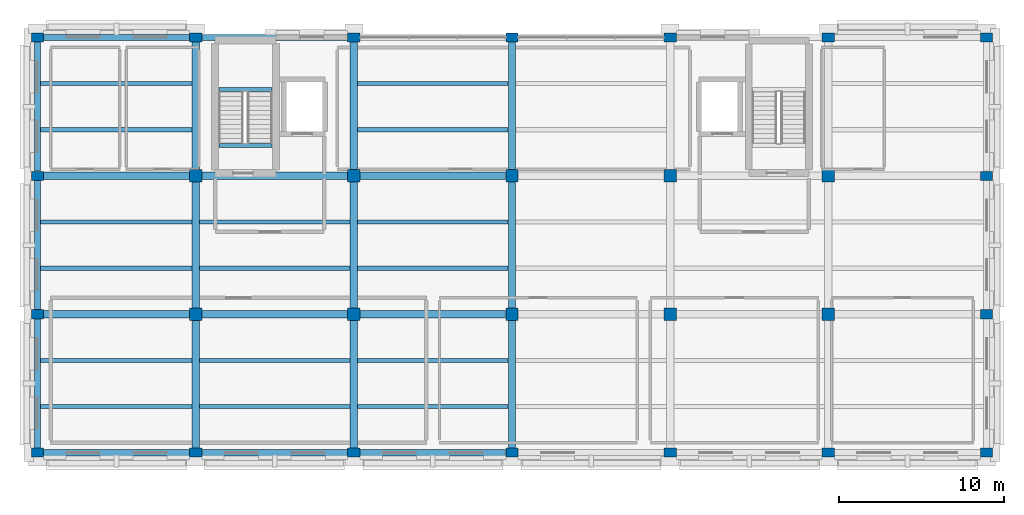
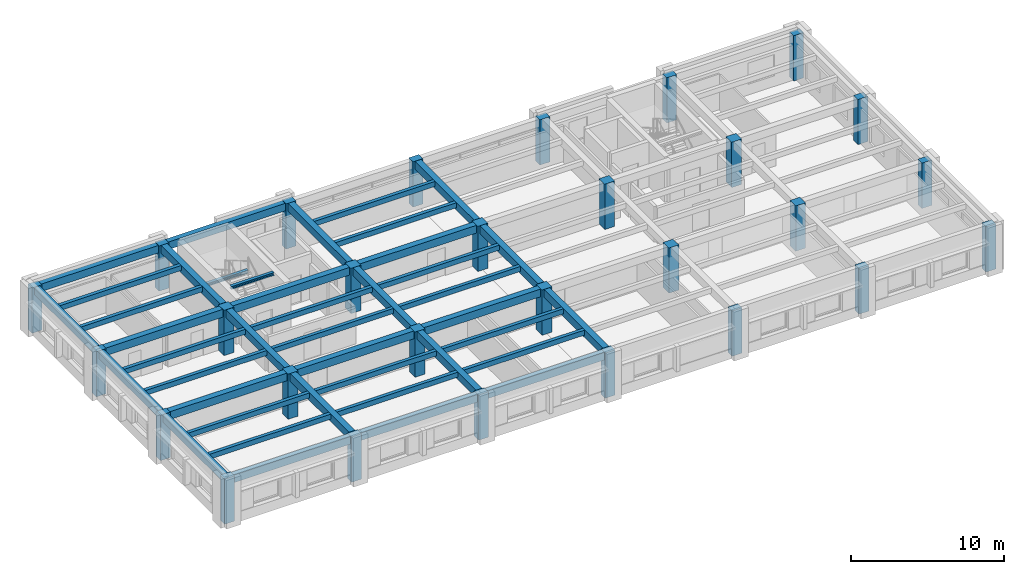
# One storey, part 1 of 11: 41 beams, 28 columns.
"""IFC4 building model written with IfcOpenShell, lengths in metres."""

import ifcopenshell
import ifcopenshell.guid

model = None  # the IFC model being written
_history = None  # IfcOwnerHistory: only IFC2X3 demands one
_inside = {}  # id of a spatial element -> (the spatial element, [elements in it])
_under = {}  # id of a project, library or spatial element -> (it, [spatial elements below it])
_declared = {}  # id of a project -> (the project, [libraries it declares])
_typed = {}  # id of a type object -> (the type object, [elements of that type])
_made_of = {}  # id of a material, layer set ... -> (it, [elements and type objects made of it])


def new_model(schema):
    """Start an empty IFC model of exactly this schema.

    Asked for "IFC4X3", IfcOpenShell would pick the latest addendum, in which some entities
    have other attributes; the version numbers below select the first issue.
    IFC2X3 requires an IfcOwnerHistory on every rooted entity: one is made here for all.
    """
    global model, _history
    if schema == "IFC4X3":
        model = ifcopenshell.file(schema_version=(4, 3, 0, 0))
    else:
        model = ifcopenshell.file(schema=schema)
    _inside.clear()
    _under.clear()
    _declared.clear()
    _typed.clear()
    _made_of.clear()
    _history = None
    if model.schema == "IFC2X3":
        org = make("IfcOrganization", Name="unknown")
        user = make(
            "IfcPersonAndOrganization",
            ThePerson=make("IfcPerson", FamilyName="unknown"),
            TheOrganization=org,
        )
        app = make(
            "IfcApplication",
            ApplicationDeveloper=org,
            Version="unknown",
            ApplicationFullName="unknown",
            ApplicationIdentifier="unknown",
        )
        _history = make(
            "IfcOwnerHistory",
            OwningUser=user,
            OwningApplication=app,
            ChangeAction="ADDED",
            CreationDate=0,
        )
    return model


def make(cls, **values):
    """One entity of the class cls with the attributes given. An attribute that is None is left unset."""
    return model.create_entity(
        cls, **{name: value for name, value in values.items() if value is not None}
    )


def rooted(cls, **values):
    """An entity with a GlobalId (a new one), such as an element, a storey or a relation."""
    return make(cls, GlobalId=ifcopenshell.guid.new(), OwnerHistory=_history, **values)


def si_unit(unit_type, name, prefix=None):
    """IfcSIUnit, for example si_unit("LENGTHUNIT", "METRE", prefix="MILLI")."""
    return make("IfcSIUnit", UnitType=unit_type, Prefix=prefix, Name=name)


def assignment(units):
    """IfcUnitAssignment: the units of a project."""
    return None if units is None else make("IfcUnitAssignment", Units=units)


def point(xyz):
    """IfcCartesianPoint."""
    return None if xyz is None else make("IfcCartesianPoint", Coordinates=xyz)


def direction(xyz):
    """IfcDirection."""
    return None if xyz is None else make("IfcDirection", DirectionRatios=xyz)


def frame(location, z_axis=None, x_axis=None):
    """IfcAxis2Placement3D, a coordinate frame: its origin and axes. An axis left out is left unset."""
    return make(
        "IfcAxis2Placement3D",
        Location=point(location),
        Axis=direction(z_axis),
        RefDirection=direction(x_axis),
    )


def frame_2d(location, x_axis=None):
    """IfcAxis2Placement2D, a coordinate frame in the plane: its origin and x axis."""
    return make(
        "IfcAxis2Placement2D", Location=point(location), RefDirection=direction(x_axis)
    )


def origin():
    """The frame at (0, 0, 0) with its axes left unset."""
    return frame((0.0, 0.0, 0.0))


def origin_2d():
    """The frame at (0, 0) in the plane with its x axis left unset."""
    return frame_2d((0.0, 0.0))


def place(relative_to, where):
    """IfcLocalPlacement: puts the frame where relative to a parent placement (None: the world)."""
    return make(
        "IfcLocalPlacement", PlacementRelTo=relative_to, RelativePlacement=where
    )


def context(
    kind, dimensions, precision=None, world=None, true_north=None, identifier=None
):
    """IfcGeometricRepresentationContext, for example the 3D "Model" context."""
    return make(
        "IfcGeometricRepresentationContext",
        ContextIdentifier=identifier,
        ContextType=kind,
        CoordinateSpaceDimension=dimensions,
        Precision=precision,
        WorldCoordinateSystem=world,
        TrueNorth=true_north,
    )


def subcontext(parent, identifier, kind, view, scale=None):
    """IfcGeometricRepresentationSubContext, for example "Body" below "Model"."""
    return make(
        "IfcGeometricRepresentationSubContext",
        ContextIdentifier=identifier,
        ContextType=kind,
        ParentContext=parent,
        TargetScale=scale,
        TargetView=view,
    )


def project(units=None, contexts=None):
    """IfcProject with its units and contexts."""
    return rooted(
        "IfcProject",
        Name="project",
        RepresentationContexts=contexts,
        UnitsInContext=assignment(units),
    )


def spatial(cls, under=None, at=None, **own):
    """A site, building, storey or space (cls), placed at a placement, below another one or the project."""
    s = rooted(cls, ObjectPlacement=at, **own)
    if under is not None:
        _under.setdefault(under.id(), (under, []))[1].append(s)
    return s


def profile(cls, at=None, kind="AREA", **sizes):
    """A parametric profile (cls). Its sizes go by their IFC names, for example OverallWidth=200.0."""
    return make(cls, ProfileType=kind, Position=at, **sizes)


def rectangle(**sizes):
    """IfcRectangleProfileDef."""
    return profile("IfcRectangleProfileDef", **sizes)


def i_section(**sizes):
    """IfcIShapeProfileDef."""
    return profile("IfcIShapeProfileDef", **sizes)


def extrude(swept, where, along, depth):
    """IfcExtrudedAreaSolid: the profile swept, set in the frame where, extruded along a direction by depth."""
    return make(
        "IfcExtrudedAreaSolid",
        SweptArea=swept,
        Position=where,
        ExtrudedDirection=direction(along),
        Depth=depth,
    )


def shape(context_of_items, identifier, shape_type, items):
    """IfcShapeRepresentation: the items that make up one representation, for example the "Body"."""
    return make(
        "IfcShapeRepresentation",
        ContextOfItems=context_of_items,
        RepresentationIdentifier=identifier,
        RepresentationType=shape_type,
        Items=items,
    )


def material(Name=None, Category=None):
    """IfcMaterial."""
    return make("IfcMaterial", Name=Name, Category=Category)


def material_profile(
    of_material, cross_section, Name=None, Category=None, Priority=None
):
    """IfcMaterialProfile: a cross section and its material."""
    return make(
        "IfcMaterialProfile",
        Name=Name,
        Material=of_material,
        Profile=cross_section,
        Priority=Priority,
        Category=Category,
    )


def profile_set(profiles, Name=None, composite=None):
    """IfcMaterialProfileSet."""
    return make(
        "IfcMaterialProfileSet",
        Name=Name,
        MaterialProfiles=profiles,
        CompositeProfile=composite,
    )


def made_of(thing, what):
    """Note that an element or type object is made of a material, layer set ...; save() writes the relation."""
    if what is not None:
        _made_of.setdefault(what.id(), (what, []))[1].append(thing)
    return thing


def type_object(cls, material=None, **own):
    """A type object (cls), such as IfcWallType, which elements share."""
    return made_of(rooted(cls, **own), material)


def element(
    cls,
    number,
    at=None,
    inside=None,
    cuts=None,
    type_object=None,
    material=None,
    context=None,
    identifier="Body",
    shape_type=None,
    held_by="IfcProductDefinitionShape",
    body=None,
    shapes=None,
    **own,
):
    """One element of the class cls, such as IfcWall. Its Tag is "e" and its number.

    at: its placement. inside: the storey or other place that contains it. cuts: it is an
    opening in that element (IfcRelVoidsElement). A single representation is given by context,
    identifier, shape_type and body (its items); several are given by shapes. held_by: the class
    of the entity that holds the representations. save() writes the other relations.
    """
    e = rooted(cls, Tag="e%d" % number, ObjectPlacement=at, **own)
    if body is not None:
        shapes = [shape(context, identifier, shape_type, body)]
    if shapes is not None:
        e.Representation = make(held_by, Representations=shapes)
    if inside is not None:
        _inside.setdefault(inside.id(), (inside, []))[1].append(e)
    if cuts is not None:
        rooted(
            "IfcRelVoidsElement", RelatingBuildingElement=cuts, RelatedOpeningElement=e
        )
    if type_object is not None:
        _typed.setdefault(type_object.id(), (type_object, []))[1].append(e)
    return made_of(e, material)


def aggregate(whole, parts):
    """IfcRelAggregates: a whole, such as a stair, and the parts it consists of."""
    return rooted("IfcRelAggregates", RelatingObject=whole, RelatedObjects=parts)


def save(model, path):
    """Write the relations noted so far, then the file.

    IfcRelAggregates (storeys below a building ...), IfcRelContainedInSpatialStructure (elements
    in a storey), IfcRelDefinesByType, IfcRelAssociatesMaterial and IfcRelDeclares: one each for
    every whole, place, type object, material and project.
    """
    for whole, parts in _under.values():
        aggregate(whole, parts)
    for where, things in _inside.values():
        rooted(
            "IfcRelContainedInSpatialStructure",
            RelatedElements=things,
            RelatingStructure=where,
        )
    for kind, things in _typed.values():
        rooted("IfcRelDefinesByType", RelatedObjects=things, RelatingType=kind)
    for what, things in _made_of.values():
        rooted("IfcRelAssociatesMaterial", RelatedObjects=things, RelatingMaterial=what)
    for by, libraries in _declared.values():
        rooted("IfcRelDeclares", RelatingContext=by, RelatedDefinitions=libraries)
    model.write(path)


model = new_model("IFC4")

# Units and contexts
model_context = context("Model", 3, precision=1e-05, world=origin(), true_north=direction((0.0, 1.0)))
body_context = subcontext(model_context, "Body", "Model", "MODEL_VIEW")
ifc_project = project(units=[si_unit("LENGTHUNIT", "METRE"), si_unit("AREAUNIT", "SQUARE_METRE"), si_unit("VOLUMEUNIT", "CUBIC_METRE"), si_unit("PLANEANGLEUNIT", "RADIAN"), si_unit("MASSUNIT", "GRAM", prefix="KILO")], contexts=[model_context])

# Site, building, storey
site_placement = place(None, origin())
site = spatial("IfcSite", under=ifc_project, at=site_placement, CompositionType="ELEMENT")
building_placement = place(site_placement, origin())
building = spatial("IfcBuilding", under=site, at=building_placement, Name="Bempovik Park Faculty of Sciences", CompositionType="ELEMENT")
storey_placement = place(building_placement, frame((0.0, 0.0, 30.60009765625)))
storey = spatial("IfcBuildingStorey", under=building, at=storey_placement, Name="L07", CompositionType="ELEMENT", Elevation=30.60009765625)

# Columns
ifc_material_1 = material(Name="Concrete C40/50", Category="concrete")
ifc_material_profile_1 = material_profile(ifc_material_1, rectangle(XDim=0.75, YDim=0.75, at=origin_2d()), Name="RC 750x750")
ifc_profile_set_1 = profile_set([ifc_material_profile_1], Name="Concrete C40/50")
column_type_1 = type_object("IfcColumnType", Name="C-39 RC 750x750", PredefinedType="COLUMN", material=ifc_profile_set_1)
for number, where, z_axis, x_axis, name in (
    (1, (69.60009765625, 102.60009765625, 0.0), (0.0, 0.0, 1.0), (1.0, 0.0, 0.0), "L07 Structural Column (69.6,102.6)"),
    (2, (69.60009765625, 111.0, 0.0), (0.0, 0.0, 1.0), (1.0, 0.0, 0.0), "L07 Structural Column (69.6,111.0)"),
    (3, (79.199951171875, 102.60009765625, 0.0), (0.0, 0.0, 1.0), (1.0, 0.0, 0.0), "L07 Structural Column (79.2,102.6)"),
    (4, (79.199951171875, 111.0, 0.0), (0.0, 0.0, 1.0), (1.0, 0.0, 0.0), "L07 Structural Column (79.2,111.0)"),
    (5, (88.800048828125, 102.60009765625, 0.0), (0.0, 0.0, 1.0), (1.0, 0.0, 0.0), "L07 Structural Column (88.8,102.6)"),
    (6, (88.800048828125, 111.0, 0.0), (0.0, 0.0, 1.0), (1.0, 0.0, 0.0), "L07 Structural Column (88.8,111.0)"),
    (7, (98.39990234375, 102.60009765625, 0.0), (0.0, 0.0, 1.0), (1.0, 0.0, 0.0), "L07 Structural Column (98.4,102.6)"),
    (8, (98.39990234375, 111.0, 0.0), (0.0, 0.0, 1.0), (1.0, 0.0, 0.0), "L07 Structural Column (98.4,111.0)"),
    (9, (108.0, 102.60009765625, 0.0), (0.0, 0.0, 1.0), (1.0, 0.0, 0.0), "L07 Structural Column (108.0,102.6)"),
    (10, (108.0, 111.0, 0.0), (0.0, 0.0, 1.0), (1.0, 0.0, 0.0), "L07 Structural Column (108.0,111.0)"),
):
    element("IfcColumn", number, at=place(storey_placement, frame(where, z_axis=z_axis, x_axis=x_axis)), inside=storey, type_object=column_type_1, Name=name, PredefinedType="COLUMN", context=body_context, shape_type="SweptSolid", body=[
        extrude(rectangle(XDim=0.75, YDim=0.75, at=origin_2d()), origin(), (0.0, 0.0, 1.0), 3.619873046875),
    ])
ifc_material_profile_2 = material_profile(ifc_material_1, rectangle(XDim=0.75, YDim=0.550048828125, at=origin_2d()), Name="RC 750x550")
ifc_profile_set_2 = profile_set([ifc_material_profile_2], Name="Concrete C40/50")
column_type_2 = type_object("IfcColumnType", Name="C-43 RC 750x550", PredefinedType="COLUMN", material=ifc_profile_set_2)
for number, where, z_axis, x_axis, name in (
    (11, (60.0, 94.199951171875, 0.0), (0.0, 0.0, 1.0), (1.0, 0.0, 0.0), "L07 Structural Column (60.0,94.2)"),
    (12, (60.0, 102.60009765625, 0.0), (0.0, 0.0, 1.0), (1.0, 0.0, 0.0), "L07 Structural Column (60.0,102.6)"),
    (13, (60.0, 111.0, 0.0), (0.0, 0.0, 1.0), (1.0, 0.0, 0.0), "L07 Structural Column (60.0,111.0)"),
    (14, (60.0, 119.39990234375, 0.0), (0.0, 0.0, 1.0), (1.0, 0.0, 0.0), "L07 Structural Column (60.0,119.4)"),
    (15, (69.60009765625, 94.199951171875, 0.0), (0.0, 0.0, 1.0), (1.0, 0.0, 0.0), "L07 Structural Column (69.6,94.2)"),
    (16, (69.60009765625, 119.39990234375, 0.0), (0.0, 0.0, 1.0), (1.0, 0.0, 0.0), "L07 Structural Column (69.6,119.4)"),
    (17, (79.199951171875, 94.199951171875, 0.0), (0.0, 0.0, 1.0), (1.0, 0.0, 0.0), "L07 Structural Column (79.2,94.2)"),
    (18, (79.199951171875, 119.39990234375, 0.0), (0.0, 0.0, 1.0), (1.0, 0.0, 0.0), "L07 Structural Column (79.2,119.4)"),
    (19, (88.800048828125, 94.199951171875, 0.0), (0.0, 0.0, 1.0), (1.0, 0.0, 0.0), "L07 Structural Column (88.8,94.2)"),
    (20, (88.800048828125, 119.39990234375, 0.0), (0.0, 0.0, 1.0), (1.0, 0.0, 0.0), "L07 Structural Column (88.8,119.4)"),
    (21, (98.39990234375, 94.199951171875, 0.0), (0.0, 0.0, 1.0), (1.0, 0.0, 0.0), "L07 Structural Column (98.4,94.2)"),
    (22, (98.39990234375, 119.39990234375, 0.0), (0.0, 0.0, 1.0), (1.0, 0.0, 0.0), "L07 Structural Column (98.4,119.4)"),
    (23, (108.0, 94.199951171875, 0.0), (0.0, 0.0, 1.0), (1.0, 0.0, 0.0), "L07 Structural Column (108.0,94.2)"),
    (24, (108.0, 119.39990234375, 0.0), (0.0, 0.0, 1.0), (1.0, 0.0, 0.0), "L07 Structural Column (108.0,119.4)"),
    (25, (117.60009765625, 94.199951171875, 0.0), (0.0, 0.0, 1.0), (1.0, 0.0, 0.0), "L07 Structural Column (117.6,94.2)"),
    (26, (117.60009765625, 102.60009765625, 0.0), (0.0, 0.0, 1.0), (1.0, 0.0, 0.0), "L07 Structural Column (117.6,102.6)"),
    (27, (117.60009765625, 111.0, 0.0), (0.0, 0.0, 1.0), (1.0, 0.0, 0.0), "L07 Structural Column (117.6,111.0)"),
    (28, (117.60009765625, 119.39990234375, 0.0), (0.0, 0.0, 1.0), (1.0, 0.0, 0.0), "L07 Structural Column (117.6,119.4)"),
):
    element("IfcColumn", number, at=place(storey_placement, frame(where, z_axis=z_axis, x_axis=x_axis)), inside=storey, type_object=column_type_2, Name=name, PredefinedType="COLUMN", context=body_context, shape_type="SweptSolid", body=[
        extrude(rectangle(XDim=0.75, YDim=0.550048828125, at=origin_2d()), origin(), (0.0, 0.0, 1.0), 3.619873046875),
    ])

# Beams
ifc_material_2 = material(Name="Concrete C35/45", Category="concrete")
ifc_material_profile_3 = material_profile(ifc_material_2, rectangle(XDim=0.3798828125, YDim=0.60009765625, at=origin_2d()), Name="RC 380x600")
ifc_profile_set_3 = profile_set([ifc_material_profile_3], Name="Concrete C35/45")
beam_type_1 = type_object("IfcBeamType", Name="B-032 RC 380x600", PredefinedType="SPANDREL", material=ifc_profile_set_3)
beam_1_placement = place(storey_placement, frame((60.381103515625, 94.199951171875, 3.31982421875), z_axis=(1.0, 0.0, 0.0), x_axis=(0.0, 1.0, 0.0)))
element("IfcBeam", 29, at=beam_1_placement, inside=storey, type_object=beam_type_1, Name="L07 Beam X (60.0-69.6, y=94.2)", PredefinedType="SPANDREL", context=body_context, shape_type="SweptSolid", body=[
    extrude(rectangle(XDim=0.3798828125, YDim=0.60009765625, at=origin_2d()), origin(), (0.0, 0.0, 1.0), 8.837890625),
])
beam_2_placement = place(storey_placement, frame((69.98095703125, 94.199951171875, 3.31982421875), z_axis=(1.0, 0.0, 0.0), x_axis=(0.0, 1.0, 0.0)))
element("IfcBeam", 30, at=beam_2_placement, inside=storey, type_object=beam_type_1, Name="L07 Beam X (69.6-79.2, y=94.2)", PredefinedType="SPANDREL", context=body_context, shape_type="SweptSolid", body=[
    extrude(rectangle(XDim=0.3798828125, YDim=0.60009765625, at=origin_2d()), origin(), (0.0, 0.0, 1.0), 8.838134765625),
])
for number, where, z_axis, x_axis, name in (
    (31, (79.5810546875, 94.199951171875, 3.31982421875), (1.0, 0.0, 0.0), (0.0, 1.0, 0.0), "L07 Beam X (79.2-88.8, y=94.2)"),
    (32, (60.381103515625, 119.39990234375, 3.31982421875), (1.0, 0.0, 0.0), (0.0, 1.0, 0.0), "L07 Beam X (60.0-69.6, y=119.4)"),
):
    element("IfcBeam", number, at=place(storey_placement, frame(where, z_axis=z_axis, x_axis=x_axis)), inside=storey, type_object=beam_type_1, Name=name, PredefinedType="SPANDREL", context=body_context, shape_type="SweptSolid", body=[
        extrude(rectangle(XDim=0.3798828125, YDim=0.60009765625, at=origin_2d()), origin(), (0.0, 0.0, 1.0), 8.837890625),
    ])
beam_3_placement = place(storey_placement, frame((69.98095703125, 119.39990234375, 3.31982421875), z_axis=(1.0, 0.0, 0.0), x_axis=(0.0, 1.0, 0.0)))
element("IfcBeam", 33, at=beam_3_placement, inside=storey, type_object=beam_type_1, Name="L07 Beam X (69.6-79.2, y=119.4)", PredefinedType="SPANDREL", context=body_context, shape_type="SweptSolid", body=[
    extrude(rectangle(XDim=0.3798828125, YDim=0.60009765625, at=origin_2d()), origin(), (0.0, 0.0, 1.0), 8.838134765625),
])
beam_4_placement = place(storey_placement, frame((60.0, 94.48095703125, 3.31982421875), z_axis=(0.0, 1.0, 0.0), x_axis=(-1.0, 0.0, 0.0)))
element("IfcBeam", 34, at=beam_4_placement, inside=storey, type_object=beam_type_1, Name="L07 Beam Y (x=60.0, 94.2-102.6)", PredefinedType="SPANDREL", context=body_context, shape_type="SweptSolid", body=[
    extrude(rectangle(XDim=0.3798828125, YDim=0.60009765625, at=origin_2d()), origin(), (0.0, 0.0, 1.0), 7.838134765625),
])
for number, where, z_axis, x_axis, name in (
    (35, (60.0, 102.881103515625, 3.31982421875), (0.0, 1.0, 0.0), (-1.0, 0.0, 0.0), "L07 Beam Y (x=60.0, 102.6-111.0)"),
    (36, (60.0, 111.281005859375, 3.31982421875), (0.0, 1.0, 0.0), (-1.0, 0.0, 0.0), "L07 Beam Y (x=60.0, 111.0-119.4)"),
):
    element("IfcBeam", number, at=place(storey_placement, frame(where, z_axis=z_axis, x_axis=x_axis)), inside=storey, type_object=beam_type_1, Name=name, PredefinedType="SPANDREL", context=body_context, shape_type="SweptSolid", body=[
        extrude(rectangle(XDim=0.3798828125, YDim=0.60009765625, at=origin_2d()), origin(), (0.0, 0.0, 1.0), 7.837890625),
    ])
ifc_material_profile_4 = material_profile(ifc_material_2, rectangle(XDim=0.260009765625, YDim=0.39990234375, at=origin_2d()), Name="RC 260x400")
ifc_profile_set_4 = profile_set([ifc_material_profile_4], Name="Concrete C35/45")
beam_type_2 = type_object("IfcBeamType", Name="B-063 RC 260x400", PredefinedType="JOIST", material=ifc_profile_set_4)
for number, where, z_axis, x_axis, name in (
    (37, (60.196044921875, 97.0, 3.419921875), (1.0, 0.0, 0.0), (0.0, 1.0, 0.0), "L07 Secondary Joist (60.0-69.6, y=97.00)"),
    (38, (60.196044921875, 99.800048828125, 3.419921875), (1.0, 0.0, 0.0), (0.0, 1.0, 0.0), "L07 Secondary Joist (60.0-69.6, y=99.80)"),
    (39, (60.196044921875, 105.39990234375, 3.419921875), (1.0, 0.0, 0.0), (0.0, 1.0, 0.0), "L07 Secondary Joist (60.0-69.6, y=105.40)"),
    (40, (60.196044921875, 108.199951171875, 3.419921875), (1.0, 0.0, 0.0), (0.0, 1.0, 0.0), "L07 Secondary Joist (60.0-69.6, y=108.20)"),
    (41, (60.196044921875, 113.800048828125, 3.419921875), (1.0, 0.0, 0.0), (0.0, 1.0, 0.0), "L07 Secondary Joist (60.0-69.6, y=113.80)"),
    (42, (60.196044921875, 116.60009765625, 3.419921875), (1.0, 0.0, 0.0), (0.0, 1.0, 0.0), "L07 Secondary Joist (60.0-69.6, y=116.60)"),
):
    element("IfcBeam", number, at=place(storey_placement, frame(where, z_axis=z_axis, x_axis=x_axis)), inside=storey, type_object=beam_type_2, Name=name, PredefinedType="JOIST", context=body_context, shape_type="SweptSolid", body=[
        extrude(rectangle(XDim=0.260009765625, YDim=0.39990234375, at=origin_2d()), origin(), (0.0, 0.0, 1.0), 9.1728515625),
    ])
for number, where, z_axis, x_axis, name in (
    (43, (69.8310546875, 97.0, 3.419921875), (1.0, 0.0, 0.0), (0.0, 1.0, 0.0), "L07 Secondary Joist (69.6-79.2, y=97.00)"),
    (44, (69.8310546875, 99.800048828125, 3.419921875), (1.0, 0.0, 0.0), (0.0, 1.0, 0.0), "L07 Secondary Joist (69.6-79.2, y=99.80)"),
    (45, (69.8310546875, 105.39990234375, 3.419921875), (1.0, 0.0, 0.0), (0.0, 1.0, 0.0), "L07 Secondary Joist (69.6-79.2, y=105.40)"),
    (46, (69.8310546875, 108.199951171875, 3.419921875), (1.0, 0.0, 0.0), (0.0, 1.0, 0.0), "L07 Secondary Joist (69.6-79.2, y=108.20)"),
):
    element("IfcBeam", number, at=place(storey_placement, frame(where, z_axis=z_axis, x_axis=x_axis)), inside=storey, type_object=beam_type_2, Name=name, PredefinedType="JOIST", context=body_context, shape_type="SweptSolid", body=[
        extrude(rectangle(XDim=0.260009765625, YDim=0.39990234375, at=origin_2d()), origin(), (0.0, 0.0, 1.0), 9.137939453125),
    ])
for number, where, z_axis, x_axis, name in (
    (47, (79.430908203125, 97.0, 3.419921875), (1.0, 0.0, 0.0), (0.0, 1.0, 0.0), "L07 Secondary Joist (79.2-88.8, y=97.00)"),
    (48, (79.430908203125, 99.800048828125, 3.419921875), (1.0, 0.0, 0.0), (0.0, 1.0, 0.0), "L07 Secondary Joist (79.2-88.8, y=99.80)"),
    (49, (79.430908203125, 105.39990234375, 3.419921875), (1.0, 0.0, 0.0), (0.0, 1.0, 0.0), "L07 Secondary Joist (79.2-88.8, y=105.40)"),
    (50, (79.430908203125, 108.199951171875, 3.419921875), (1.0, 0.0, 0.0), (0.0, 1.0, 0.0), "L07 Secondary Joist (79.2-88.8, y=108.20)"),
    (51, (79.430908203125, 113.800048828125, 3.419921875), (1.0, 0.0, 0.0), (0.0, 1.0, 0.0), "L07 Secondary Joist (79.2-88.8, y=113.80)"),
    (52, (79.430908203125, 116.60009765625, 3.419921875), (1.0, 0.0, 0.0), (0.0, 1.0, 0.0), "L07 Secondary Joist (79.2-88.8, y=116.60)"),
):
    element("IfcBeam", number, at=place(storey_placement, frame(where, z_axis=z_axis, x_axis=x_axis)), inside=storey, type_object=beam_type_2, Name=name, PredefinedType="JOIST", context=body_context, shape_type="SweptSolid", body=[
        extrude(rectangle(XDim=0.260009765625, YDim=0.39990234375, at=origin_2d()), origin(), (0.0, 0.0, 1.0), 9.13818359375),
    ])
ifc_material_3 = material(Name="Steel S355", Category="steel")
ifc_material_profile_5 = material_profile(ifc_material_3, i_section(OverallWidth=0.239990234375, OverallDepth=0.22998046875, WebThickness=0.007568359375, FlangeThickness=0.011962890625, at=origin_2d()), Name="HEA 240")
ifc_profile_set_5 = profile_set([ifc_material_profile_5], Name="Steel S355")
beam_type_3 = type_object("IfcBeamType", Name="B-070 HEA 240", PredefinedType="BEAM", material=ifc_profile_set_5)
for number, where, z_axis, x_axis, name in (
    (53, (71.006103515625, 116.24365234375, 1.635009765625), (1.0, 0.0, 0.0), (0.0, 1.0, 0.0), "L07 ST-1 Half-Landing Trimmer Beam"),
    (54, (71.006103515625, 112.85009765625, 3.5048828125), (1.0, 0.0, 0.0), (0.0, 1.0, 0.0), "L08 ST-1 Floor Landing Trimmer Beam"),
):
    element("IfcBeam", number, at=place(storey_placement, frame(where, z_axis=z_axis, x_axis=x_axis)), inside=storey, type_object=beam_type_3, Name=name, PredefinedType="BEAM", context=body_context, shape_type="SweptSolid", body=[
        extrude(i_section(OverallWidth=0.239990234375, OverallDepth=0.22998046875, WebThickness=0.007568359375, FlangeThickness=0.011962890625, at=origin_2d()), origin(), (0.0, 0.0, 1.0), 3.23779296875),
    ])
ifc_material_profile_6 = material_profile(ifc_material_2, rectangle(XDim=0.449951171875, YDim=0.6201171875, at=origin_2d()), Name="RC 450x620")
ifc_profile_set_6 = profile_set([ifc_material_profile_6], Name="Concrete C35/45")
beam_type_4 = type_object("IfcBeamType", Name="B-114 RC 450x620", PredefinedType="BEAM", material=ifc_profile_set_6)
beam_5_placement = place(storey_placement, frame((60.381103515625, 102.60009765625, 3.309814453125), z_axis=(1.0, 0.0, 0.0), x_axis=(0.0, 1.0, 0.0)))
element("IfcBeam", 55, at=beam_5_placement, inside=storey, type_object=beam_type_4, Name="L07 Beam X (60.0-69.6, y=102.6)", PredefinedType="BEAM", context=body_context, shape_type="SweptSolid", body=[
    extrude(rectangle(XDim=0.449951171875, YDim=0.6201171875, at=origin_2d()), origin(), (0.0, 0.0, 1.0), 8.837890625),
])
beam_6_placement = place(storey_placement, frame((69.98095703125, 102.60009765625, 3.309814453125), z_axis=(1.0, 0.0, 0.0), x_axis=(0.0, 1.0, 0.0)))
element("IfcBeam", 56, at=beam_6_placement, inside=storey, type_object=beam_type_4, Name="L07 Beam X (69.6-79.2, y=102.6)", PredefinedType="BEAM", context=body_context, shape_type="SweptSolid", body=[
    extrude(rectangle(XDim=0.449951171875, YDim=0.6201171875, at=origin_2d()), origin(), (0.0, 0.0, 1.0), 8.838134765625),
])
for number, where, z_axis, x_axis, name in (
    (57, (79.5810546875, 102.60009765625, 3.309814453125), (1.0, 0.0, 0.0), (0.0, 1.0, 0.0), "L07 Beam X (79.2-88.8, y=102.6)"),
    (58, (60.381103515625, 111.0, 3.309814453125), (1.0, 0.0, 0.0), (0.0, 1.0, 0.0), "L07 Beam X (60.0-69.6, y=111.0)"),
):
    element("IfcBeam", number, at=place(storey_placement, frame(where, z_axis=z_axis, x_axis=x_axis)), inside=storey, type_object=beam_type_4, Name=name, PredefinedType="BEAM", context=body_context, shape_type="SweptSolid", body=[
        extrude(rectangle(XDim=0.449951171875, YDim=0.6201171875, at=origin_2d()), origin(), (0.0, 0.0, 1.0), 8.837890625),
    ])
beam_7_placement = place(storey_placement, frame((69.98095703125, 111.0, 3.309814453125), z_axis=(1.0, 0.0, 0.0), x_axis=(0.0, 1.0, 0.0)))
element("IfcBeam", 59, at=beam_7_placement, inside=storey, type_object=beam_type_4, Name="L07 Beam X (69.6-79.2, y=111.0)", PredefinedType="BEAM", context=body_context, shape_type="SweptSolid", body=[
    extrude(rectangle(XDim=0.449951171875, YDim=0.6201171875, at=origin_2d()), origin(), (0.0, 0.0, 1.0), 8.838134765625),
])
beam_8_placement = place(storey_placement, frame((79.5810546875, 111.0, 3.309814453125), z_axis=(1.0, 0.0, 0.0), x_axis=(0.0, 1.0, 0.0)))
element("IfcBeam", 60, at=beam_8_placement, inside=storey, type_object=beam_type_4, Name="L07 Beam X (79.2-88.8, y=111.0)", PredefinedType="BEAM", context=body_context, shape_type="SweptSolid", body=[
    extrude(rectangle(XDim=0.449951171875, YDim=0.6201171875, at=origin_2d()), origin(), (0.0, 0.0, 1.0), 8.837890625),
])
beam_9_placement = place(storey_placement, frame((69.60009765625, 94.48095703125, 3.309814453125), z_axis=(0.0, 1.0, 0.0), x_axis=(-1.0, 0.0, 0.0)))
element("IfcBeam", 61, at=beam_9_placement, inside=storey, type_object=beam_type_4, Name="L07 Beam Y (x=69.6, 94.2-102.6)", PredefinedType="BEAM", context=body_context, shape_type="SweptSolid", body=[
    extrude(rectangle(XDim=0.449951171875, YDim=0.6201171875, at=origin_2d()), origin(), (0.0, 0.0, 1.0), 7.738037109375),
])
beam_10_placement = place(storey_placement, frame((69.60009765625, 102.98095703125, 3.309814453125), z_axis=(0.0, 1.0, 0.0), x_axis=(-1.0, 0.0, 0.0)))
element("IfcBeam", 62, at=beam_10_placement, inside=storey, type_object=beam_type_4, Name="L07 Beam Y (x=69.6, 102.6-111.0)", PredefinedType="BEAM", context=body_context, shape_type="SweptSolid", body=[
    extrude(rectangle(XDim=0.449951171875, YDim=0.6201171875, at=origin_2d()), origin(), (0.0, 0.0, 1.0), 7.637939453125),
])
beam_11_placement = place(storey_placement, frame((69.60009765625, 111.381103515625, 3.309814453125), z_axis=(0.0, 1.0, 0.0), x_axis=(-1.0, 0.0, 0.0)))
element("IfcBeam", 63, at=beam_11_placement, inside=storey, type_object=beam_type_4, Name="L07 Beam Y (x=69.6, 111.0-119.4)", PredefinedType="BEAM", context=body_context, shape_type="SweptSolid", body=[
    extrude(rectangle(XDim=0.449951171875, YDim=0.6201171875, at=origin_2d()), origin(), (0.0, 0.0, 1.0), 7.73779296875),
])
beam_12_placement = place(storey_placement, frame((79.199951171875, 94.48095703125, 3.309814453125), z_axis=(0.0, 1.0, 0.0), x_axis=(-1.0, 0.0, 0.0)))
element("IfcBeam", 64, at=beam_12_placement, inside=storey, type_object=beam_type_4, Name="L07 Beam Y (x=79.2, 94.2-102.6)", PredefinedType="BEAM", context=body_context, shape_type="SweptSolid", body=[
    extrude(rectangle(XDim=0.449951171875, YDim=0.6201171875, at=origin_2d()), origin(), (0.0, 0.0, 1.0), 7.738037109375),
])
beam_13_placement = place(storey_placement, frame((79.199951171875, 102.98095703125, 3.309814453125), z_axis=(0.0, 1.0, 0.0), x_axis=(-1.0, 0.0, 0.0)))
element("IfcBeam", 65, at=beam_13_placement, inside=storey, type_object=beam_type_4, Name="L07 Beam Y (x=79.2, 102.6-111.0)", PredefinedType="BEAM", context=body_context, shape_type="SweptSolid", body=[
    extrude(rectangle(XDim=0.449951171875, YDim=0.6201171875, at=origin_2d()), origin(), (0.0, 0.0, 1.0), 7.637939453125),
])
beam_14_placement = place(storey_placement, frame((79.199951171875, 111.381103515625, 3.309814453125), z_axis=(0.0, 1.0, 0.0), x_axis=(-1.0, 0.0, 0.0)))
element("IfcBeam", 66, at=beam_14_placement, inside=storey, type_object=beam_type_4, Name="L07 Beam Y (x=79.2, 111.0-119.4)", PredefinedType="BEAM", context=body_context, shape_type="SweptSolid", body=[
    extrude(rectangle(XDim=0.449951171875, YDim=0.6201171875, at=origin_2d()), origin(), (0.0, 0.0, 1.0), 7.73779296875),
])
beam_15_placement = place(storey_placement, frame((88.800048828125, 94.48095703125, 3.309814453125), z_axis=(0.0, 1.0, 0.0), x_axis=(-1.0, 0.0, 0.0)))
element("IfcBeam", 67, at=beam_15_placement, inside=storey, type_object=beam_type_4, Name="L07 Beam Y (x=88.8, 94.2-102.6)", PredefinedType="BEAM", context=body_context, shape_type="SweptSolid", body=[
    extrude(rectangle(XDim=0.449951171875, YDim=0.6201171875, at=origin_2d()), origin(), (0.0, 0.0, 1.0), 7.738037109375),
])
beam_16_placement = place(storey_placement, frame((88.800048828125, 102.98095703125, 3.309814453125), z_axis=(0.0, 1.0, 0.0), x_axis=(-1.0, 0.0, 0.0)))
element("IfcBeam", 68, at=beam_16_placement, inside=storey, type_object=beam_type_4, Name="L07 Beam Y (x=88.8, 102.6-111.0)", PredefinedType="BEAM", context=body_context, shape_type="SweptSolid", body=[
    extrude(rectangle(XDim=0.449951171875, YDim=0.6201171875, at=origin_2d()), origin(), (0.0, 0.0, 1.0), 7.637939453125),
])
beam_17_placement = place(storey_placement, frame((88.800048828125, 111.381103515625, 3.309814453125), z_axis=(0.0, 1.0, 0.0), x_axis=(-1.0, 0.0, 0.0)))
element("IfcBeam", 69, at=beam_17_placement, inside=storey, type_object=beam_type_4, Name="L07 Beam Y (x=88.8, 111.0-119.4)", PredefinedType="BEAM", context=body_context, shape_type="SweptSolid", body=[
    extrude(rectangle(XDim=0.449951171875, YDim=0.6201171875, at=origin_2d()), origin(), (0.0, 0.0, 1.0), 7.73779296875),
])

save(model, "model.ifc")
